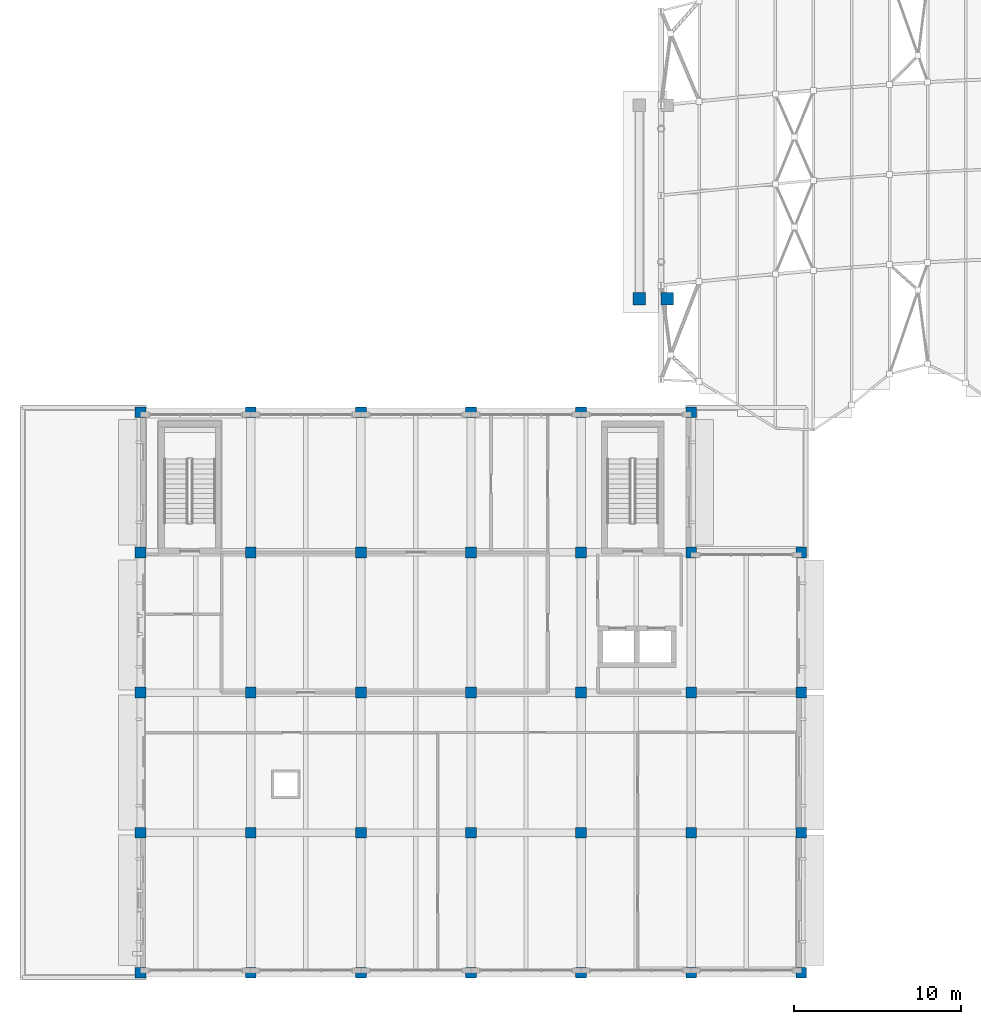
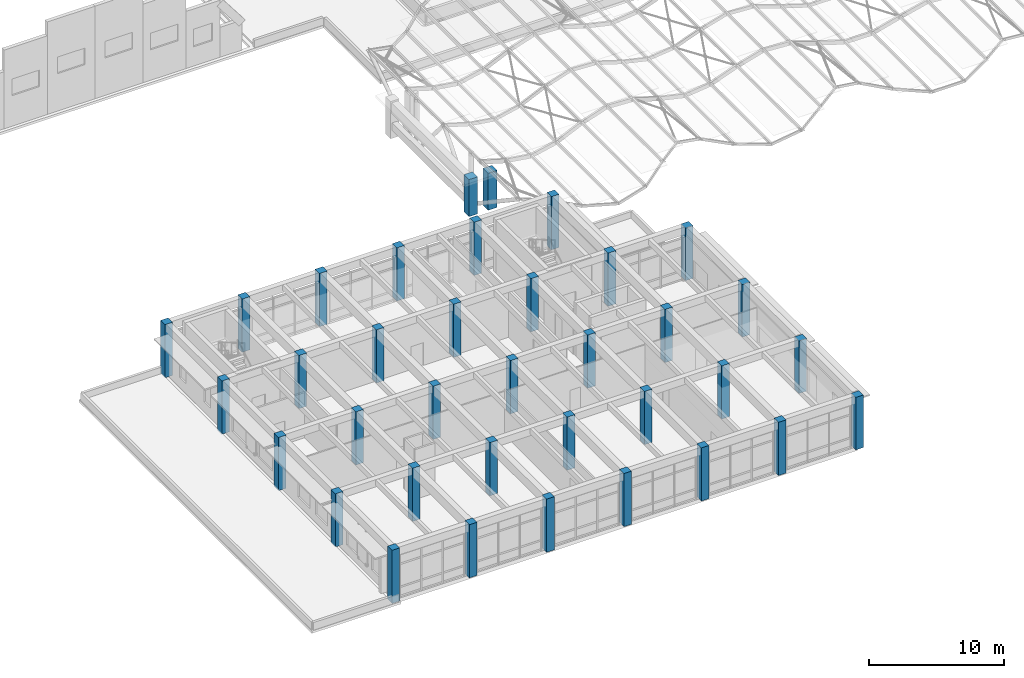
# One storey, part 1 of 79: 36 columns.
"""IFC4 building model written with IfcOpenShell, lengths in metres."""

from ifc_helpers import new_model, si_unit, direction, frame, origin, origin_2d, place, context, subcontext, project, spatial, rectangle, extrude, material, material_profile, profile_set, type_object, element, save


model = new_model("IFC4")

# Units and contexts
model_context = context("Model", 3, precision=1e-05, world=origin(), true_north=direction((0.0, 1.0)))
body_context = subcontext(model_context, "Body", "Model", "MODEL_VIEW")
ifc_project = project(units=[si_unit("LENGTHUNIT", "METRE"), si_unit("AREAUNIT", "SQUARE_METRE"), si_unit("VOLUMEUNIT", "CUBIC_METRE"), si_unit("PLANEANGLEUNIT", "RADIAN"), si_unit("MASSUNIT", "GRAM", prefix="KILO")], contexts=[model_context])

# Site, building, storey
site_placement = place(None, origin())
site = spatial("IfcSite", under=ifc_project, at=site_placement, CompositionType="ELEMENT")
building_placement = place(site_placement, origin())
building = spatial("IfcBuilding", under=site, at=building_placement, Name="Kolvaren Faculty of Natural Sciences", CompositionType="ELEMENT")
storey_placement = place(building_placement, frame((0.0, 0.0, 10.199951171875)))
storey = spatial("IfcBuildingStorey", under=building, at=storey_placement, Name="L02", CompositionType="ELEMENT", Elevation=10.199951171875)

# Columns
ifc_material_1 = material(Name="Concrete C40/50", Category="concrete")
ifc_material_profile_1 = material_profile(ifc_material_1, rectangle(XDim=0.75, YDim=0.75, at=origin_2d()), Name="RC COL 750x750")
ifc_profile_set_1 = profile_set([ifc_material_profile_1], Name="Concrete C40/50")
column_type_1 = type_object("IfcColumnType", Name="TowerColumn_750x750", PredefinedType="COLUMN", material=ifc_profile_set_1)
for number, where, z_axis, x_axis, name in (
    (1, (36.699951171875, 49.0, 0.0), (0.0, 0.0, 1.0), (1.0, 0.0, 0.0), "West Covered-Street Monumental Gateway Pishtaq monumental pier L (L02)"),
    (2, (38.35009765625, 49.0, 0.0), (0.0, 0.0, 1.0), (1.0, 0.0, 0.0), "West Covered-Street Monumental Gateway Pishtaq monumental pier LB (L02)"),
):
    element("IfcColumn", number, at=place(storey_placement, frame(where, z_axis=z_axis, x_axis=x_axis)), inside=storey, type_object=column_type_1, Name=name, PredefinedType="COLUMN", context=body_context, shape_type="SweptSolid", body=[
        extrude(rectangle(XDim=0.75, YDim=0.75, at=origin_2d()), origin(), (0.0, 0.0, 1.0), 3.35009765625),
    ])
ifc_material_2 = material(Name="Concrete C35/45", Category="concrete")
ifc_material_profile_2 = material_profile(ifc_material_2, rectangle(XDim=0.64990234375, YDim=0.64990234375, at=origin_2d()), Name="RC COL 650x650")
ifc_profile_set_2 = profile_set([ifc_material_profile_2], Name="Concrete C35/45")
column_type_2 = type_object("IfcColumnType", Name="WingColumn_650x650", PredefinedType="COLUMN", material=ifc_profile_set_2)
for number, where, z_axis, x_axis, name in (
    (3, (6.800048828125, 8.60009765625, 0.0), (0.0, 0.0, 1.0), (1.0, 0.0, 0.0), "L02 column WC-65 at 2/B"),
    (4, (6.800048828125, 17.0, 0.0), (0.0, 0.0, 1.0), (1.0, 0.0, 0.0), "L02 column WC-65 at 2/C"),
    (5, (6.800048828125, 25.39990234375, 0.0), (0.0, 0.0, 1.0), (1.0, 0.0, 0.0), "L02 column WC-65 at 2/D"),
    (6, (6.800048828125, 33.800048828125, 0.0), (0.0, 0.0, 1.0), (1.0, 0.0, 0.0), "L02 column WC-65 at 2/E"),
    (7, (6.800048828125, 42.199951171875, 0.0), (0.0, 0.0, 1.0), (1.0, 0.0, 0.0), "L02 column WC-65 at 2/F"),
    (8, (13.39990234375, 8.60009765625, 0.0), (0.0, 0.0, 1.0), (1.0, 0.0, 0.0), "L02 column WC-65 at 3/B"),
    (9, (13.39990234375, 17.0, 0.0), (0.0, 0.0, 1.0), (1.0, 0.0, 0.0), "L02 column WC-65 at 3/C"),
    (10, (13.39990234375, 25.39990234375, 0.0), (0.0, 0.0, 1.0), (1.0, 0.0, 0.0), "L02 column WC-65 at 3/D"),
    (11, (13.39990234375, 33.800048828125, 0.0), (0.0, 0.0, 1.0), (1.0, 0.0, 0.0), "L02 column WC-65 at 3/E"),
    (12, (13.39990234375, 42.199951171875, 0.0), (0.0, 0.0, 1.0), (1.0, 0.0, 0.0), "L02 column WC-65 at 3/F"),
    (13, (20.0, 8.60009765625, 0.0), (0.0, 0.0, 1.0), (1.0, 0.0, 0.0), "L02 column WC-65 at 4/B"),
    (14, (20.0, 17.0, 0.0), (0.0, 0.0, 1.0), (1.0, 0.0, 0.0), "L02 column WC-65 at 4/C"),
    (15, (20.0, 25.39990234375, 0.0), (0.0, 0.0, 1.0), (1.0, 0.0, 0.0), "L02 column WC-65 at 4/D"),
    (16, (20.0, 33.800048828125, 0.0), (0.0, 0.0, 1.0), (1.0, 0.0, 0.0), "L02 column WC-65 at 4/E"),
    (17, (20.0, 42.199951171875, 0.0), (0.0, 0.0, 1.0), (1.0, 0.0, 0.0), "L02 column WC-65 at 4/F"),
    (18, (26.60009765625, 8.60009765625, 0.0), (0.0, 0.0, 1.0), (1.0, 0.0, 0.0), "L02 column WC-65 at 5/B"),
    (19, (26.60009765625, 17.0, 0.0), (0.0, 0.0, 1.0), (1.0, 0.0, 0.0), "L02 column WC-65 at 5/C"),
    (20, (26.60009765625, 25.39990234375, 0.0), (0.0, 0.0, 1.0), (1.0, 0.0, 0.0), "L02 column WC-65 at 5/D"),
    (21, (26.60009765625, 33.800048828125, 0.0), (0.0, 0.0, 1.0), (1.0, 0.0, 0.0), "L02 column WC-65 at 5/E"),
    (22, (26.60009765625, 42.199951171875, 0.0), (0.0, 0.0, 1.0), (1.0, 0.0, 0.0), "L02 column WC-65 at 5/F"),
    (23, (33.199951171875, 8.60009765625, 0.0), (0.0, 0.0, 1.0), (1.0, 0.0, 0.0), "L02 column WC-65 at 6/B"),
    (24, (33.199951171875, 17.0, 0.0), (0.0, 0.0, 1.0), (1.0, 0.0, 0.0), "L02 column WC-65 at 6/C"),
    (25, (33.199951171875, 25.39990234375, 0.0), (0.0, 0.0, 1.0), (1.0, 0.0, 0.0), "L02 column WC-65 at 6/D"),
    (26, (33.199951171875, 33.800048828125, 0.0), (0.0, 0.0, 1.0), (1.0, 0.0, 0.0), "L02 column WC-65 at 6/E"),
    (27, (33.199951171875, 42.199951171875, 0.0), (0.0, 0.0, 1.0), (1.0, 0.0, 0.0), "L02 column WC-65 at 6/F"),
    (28, (39.800048828125, 8.60009765625, 0.0), (0.0, 0.0, 1.0), (1.0, 0.0, 0.0), "L02 column WC-65 at 7/B"),
    (29, (39.800048828125, 17.0, 0.0), (0.0, 0.0, 1.0), (1.0, 0.0, 0.0), "L02 column WC-65 at 7/C"),
    (30, (39.800048828125, 25.39990234375, 0.0), (0.0, 0.0, 1.0), (1.0, 0.0, 0.0), "L02 column WC-65 at 7/D"),
    (31, (39.800048828125, 33.800048828125, 0.0), (0.0, 0.0, 1.0), (1.0, 0.0, 0.0), "L02 column WC-65 at 7/E"),
    (32, (39.800048828125, 42.199951171875, 0.0), (0.0, 0.0, 1.0), (1.0, 0.0, 0.0), "L02 column WC-65 at 7/F"),
):
    element("IfcColumn", number, at=place(storey_placement, frame(where, z_axis=z_axis, x_axis=x_axis)), inside=storey, type_object=column_type_2, Name=name, PredefinedType="COLUMN", context=body_context, shape_type="SweptSolid", body=[
        extrude(rectangle(XDim=0.64990234375, YDim=0.64990234375, at=origin_2d()), origin(), (0.0, 0.0, 1.0), 4.800048828125),
    ])
for number, where, z_axis, x_axis, name in (
    (33, (46.39990234375, 8.60009765625, 0.0), (0.0, 0.0, 1.0), (1.0, 0.0, 0.0), "L02 column WC-65 at 8/B"),
    (34, (46.39990234375, 17.0, 0.0), (0.0, 0.0, 1.0), (1.0, 0.0, 0.0), "L02 column WC-65 at 8/C"),
    (35, (46.39990234375, 25.39990234375, 0.0), (0.0, 0.0, 1.0), (1.0, 0.0, 0.0), "L02 column WC-65 at 8/D"),
    (36, (46.39990234375, 33.800048828125, 0.0), (0.0, 0.0, 1.0), (1.0, 0.0, 0.0), "L02 column WC-65 at 8/E"),
):
    element("IfcColumn", number, at=place(storey_placement, frame(where, z_axis=z_axis, x_axis=x_axis)), inside=storey, type_object=column_type_2, Name=name, PredefinedType="COLUMN", context=body_context, shape_type="SweptSolid", body=[
        extrude(rectangle(XDim=0.64990234375, YDim=0.64990234375, at=origin_2d()), origin(), (0.0, 0.0, 1.0), 4.739990234375),
    ])

save(model, "model.ifc")
